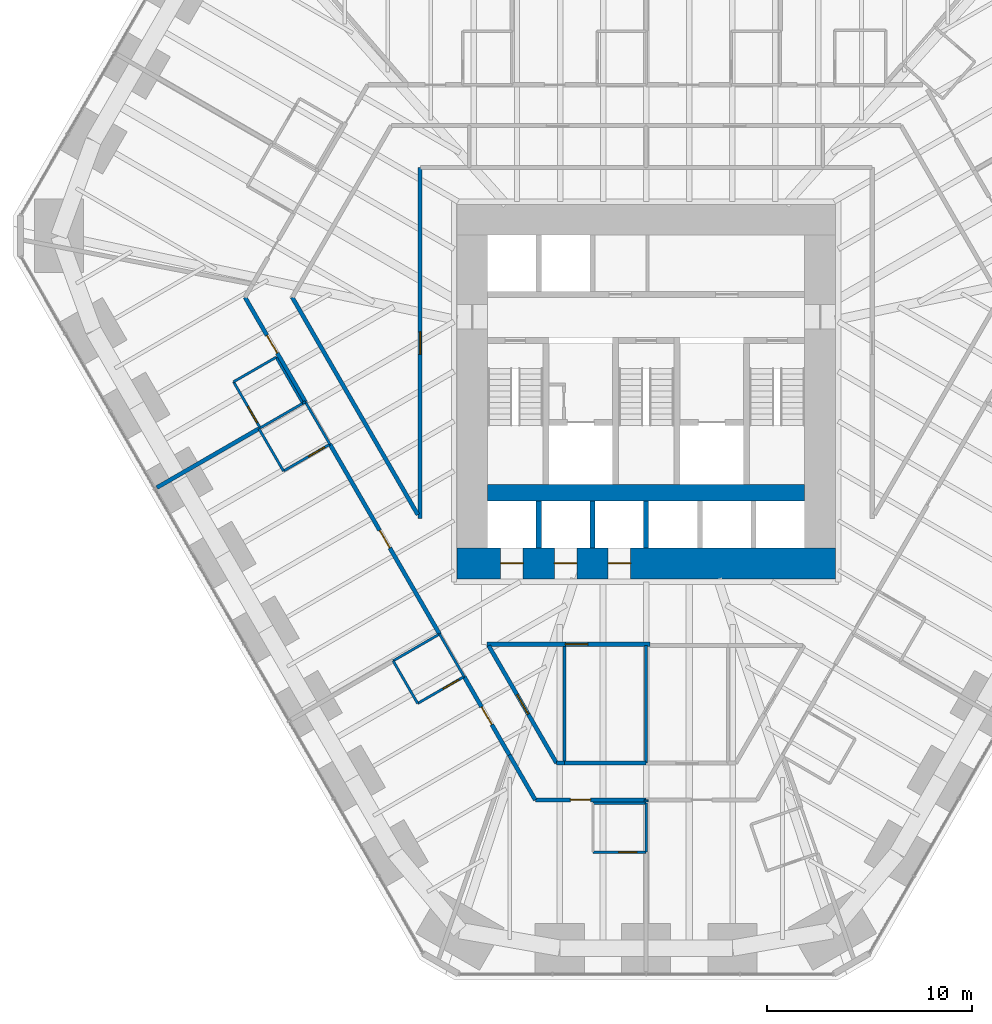
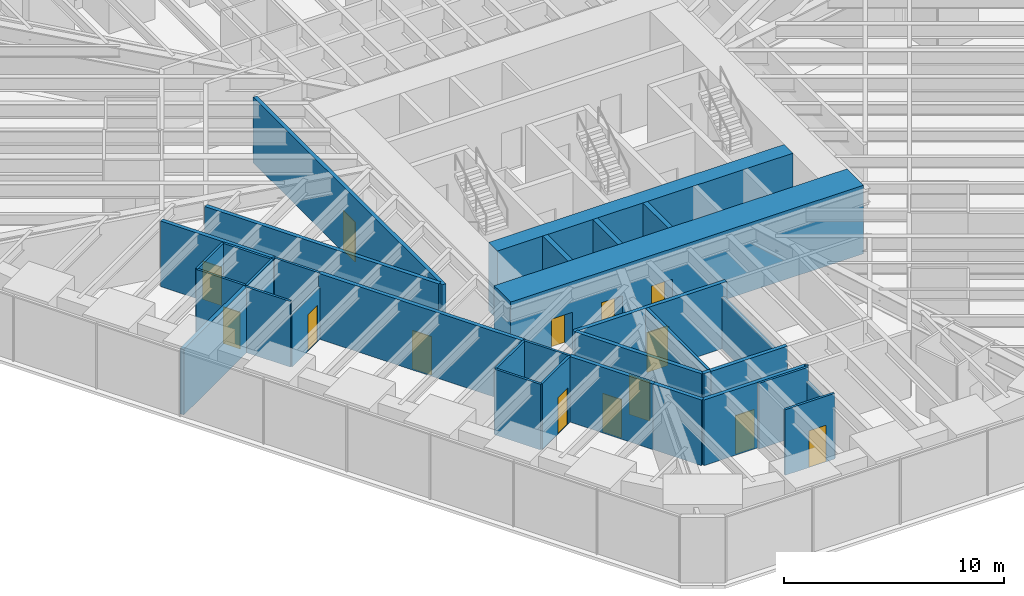
# One storey, part 11 of 17: 35 walls, 14 doors, 14 openings.
"""IFC4 building model written with IfcOpenShell, lengths in metres."""

from ifc_helpers import new_model, si_unit, direction, frame, frame_2d, origin, place, context, subcontext, project, spatial, rectangle, extrude, material, layer, layer_set, type_object, element, fill, save


model = new_model("IFC4")

# Units and contexts
model_context = context("Model", 3, precision=1e-05, world=origin(), true_north=direction((0.0, 1.0)))
body_context = subcontext(model_context, "Body", "Model", "MODEL_VIEW")
ifc_project = project(units=[si_unit("LENGTHUNIT", "METRE"), si_unit("AREAUNIT", "SQUARE_METRE"), si_unit("VOLUMEUNIT", "CUBIC_METRE"), si_unit("PLANEANGLEUNIT", "RADIAN"), si_unit("MASSUNIT", "GRAM", prefix="KILO")], contexts=[model_context])

# Site, building, storey
site_placement = place(None, origin())
site = spatial("IfcSite", under=ifc_project, at=site_placement, CompositionType="ELEMENT")
building_placement = place(site_placement, origin())
building = spatial("IfcBuilding", under=site, at=building_placement, Name="Sandreach Pilgrim Tower", CompositionType="ELEMENT")
storey_placement = place(building_placement, frame((0.0, 0.0, 42.0)))
storey = spatial("IfcBuildingStorey", under=building, at=storey_placement, Name="L09", CompositionType="ELEMENT", Elevation=42.0)

# Walls
ifc_material_1 = material(Name="Gypsum board on steel studs", Category="steel")
ifc_layer_1 = layer(ifc_material_1, 0.14990234375)
ifc_layer_set_1 = layer_set([ifc_layer_1], Name="Back of house wall 150")
wall_type_1 = type_object("IfcWallType", Name="Back of house wall 150", PredefinedType="PARTITIONING", material=ifc_layer_set_1)
wall_1_placement = place(storey_placement, frame((-4.0, -14.0, 0.0), z_axis=(0.0, 0.0, 1.0), x_axis=(0.0, -1.0, 0.0)))
element("IfcWall", 1, at=wall_1_placement, inside=storey, type_object=wall_type_1, Name="Back of house wall L09-051", PredefinedType="PARTITIONING", context=body_context, shape_type="SweptSolid", body=[
    extrude(rectangle(XDim=5.7099609375, YDim=0.14990234375, at=frame_2d((2.85498046875, 0.0))), origin(), (0.0, 0.0, 1.0), 3.639892578125),
])
wall_2_placement = place(storey_placement, frame((0.0, -13.949951171875, 0.0), z_axis=(0.0, 0.0, 1.0), x_axis=(0.0, -1.0, 0.0)))
element("IfcWall", 2, at=wall_2_placement, inside=storey, type_object=wall_type_1, Name="Back of house wall L09-062", PredefinedType="PARTITIONING", context=body_context, shape_type="SweptSolid", body=[
    extrude(rectangle(XDim=5.760009765625, YDim=0.14990234375, at=frame_2d((2.8798828125, 0.0))), origin(), (0.0, 0.0, 1.0), 2.860107421875),
])

# Wall, opening, door
ifc_material_2 = material(Name="Moisture-resistant gypsum board on steel studs", Category="steel")
ifc_layer_2 = layer(ifc_material_2, 0.1201171875)
ifc_layer_set_2 = layer_set([ifc_layer_2], Name="Bathroom partition 120")
wall_type_2 = type_object("IfcWallType", Name="Bathroom partition 120", PredefinedType="PARTITIONING", material=ifc_layer_set_2)
wall_3_placement = place(storey_placement, frame((-20.169921875, -1.070068359375, 0.0), z_axis=(0.0, 0.0, 1.0), x_axis=(0.500291685314, -0.865856933682, 0.0)))
wall_3 = element("IfcWall", 3, at=wall_3_placement, inside=storey, type_object=wall_type_2, Name="Bathroom partition L09-004", PredefinedType="PARTITIONING", context=body_context, shape_type="SweptSolid", body=[
    extrude(rectangle(XDim=2.5986328125, YDim=0.1201171875, at=frame_2d((1.29931640625, 0.0))), origin(), (0.0, 0.0, 1.0), 3.639892578125),
])
opening_1_placement = place(wall_3_placement, frame((1.398681640625, 0.0, 0.0)))
opening_1 = element("IfcOpeningElement", 4, at=opening_1_placement, cuts=wall_3, Name="Opening D09-14B", PredefinedType="OPENING", context=body_context, shape_type="SweptSolid", body=[
    extrude(rectangle(XDim=0.89990234375, YDim=2.030029296875, at=frame_2d((0.449951171875, 1.01513671875))), frame((0.0, 0.06005859375, 0.0), z_axis=(0.0, -1.0, 0.0), x_axis=(1.0, 0.0, 0.0)), (0.0, 0.0, 1.0), 0.1201171875),
])
ifc_material_3 = material(Name="Timber door, steel frame", Category="steel")
door_type_1 = type_object("IfcDoorType", Name="Bathroom door", OperationType="SINGLE_SWING_LEFT", PredefinedType="DOOR", material=ifc_material_3)
door_1_placement = place(opening_1_placement, origin())
door_1 = element("IfcDoor", 5, at=door_1_placement, inside=storey, type_object=door_type_1, Name="Door 0914B", OperationType="SINGLE_SWING_RIGHT", OverallHeight=2.030029296875, OverallWidth=0.89990234375, PredefinedType="DOOR", context=body_context, shape_type="SweptSolid", body=[
    extrude(rectangle(XDim=0.89990234375, YDim=2.030029296875, at=frame_2d((0.449951171875, 1.01513671875))), frame((0.0, 0.02490234375, 0.0), z_axis=(0.0, -1.0, 0.0), x_axis=(1.0, 0.0, 0.0)), (0.0, 0.0, 1.0), 0.050048828125),
])
fill(opening_1, door_1)

# Walls
wall_4_placement = place(storey_placement, frame((-18.929931640625, -3.360107421875, 0.0), z_axis=(0.0, 0.0, 1.0), x_axis=(0.501547039172, -0.865130376012, 0.0)))
element("IfcWall", 6, at=wall_4_placement, inside=storey, type_object=wall_type_2, Name="Bathroom partition L09-009", PredefinedType="PARTITIONING", context=body_context, shape_type="SweptSolid", body=[
    extrude(rectangle(XDim=2.392578125, YDim=0.1201171875, at=frame_2d((1.1962890625, 0.0))), origin(), (0.0, 0.0, 1.0), 3.639892578125),
])
wall_5_placement = place(storey_placement, frame((-18.86767578125, -3.323974609375, 0.0), z_axis=(0.0, 0.0, 1.0), x_axis=(0.866133109688, 0.499813401482, 0.0)))
element("IfcWall", 7, at=wall_5_placement, inside=storey, type_object=wall_type_2, Name="Bathroom partition L09-010", PredefinedType="PARTITIONING", context=body_context, shape_type="SweptSolid", body=[
    extrude(rectangle(XDim=2.4013671875, YDim=0.1201171875, at=frame_2d((1.20068359375, 0.0))), origin(), (0.0, 0.0, 1.0), 3.639892578125),
])
wall_6_placement = place(storey_placement, frame((-18.090087890625, 0.1298828125, 0.0), z_axis=(0.0, 0.0, 1.0), x_axis=(-0.866177122335, -0.499737123639, 0.0)))
element("IfcWall", 8, at=wall_6_placement, inside=storey, type_object=wall_type_2, Name="Bathroom partition L09-013", PredefinedType="PARTITIONING", context=body_context, shape_type="SweptSolid", body=[
    extrude(rectangle(XDim=2.401123046875, YDim=0.1201171875, at=frame_2d((1.20068359375, 0.0))), origin(), (0.0, 0.0, 1.0), 3.639892578125),
])

# Wall, opening, door
wall_7_placement = place(storey_placement, frame((-17.72998046875, -5.429931640625, 0.0), z_axis=(0.0, 0.0, 1.0), x_axis=(0.866114241029, 0.499846097802, 0.0)))
wall_7 = element("IfcWall", 9, at=wall_7_placement, inside=storey, type_object=wall_type_2, Name="Bathroom partition L09-014", PredefinedType="PARTITIONING", context=body_context, shape_type="SweptSolid", body=[
    extrude(rectangle(XDim=2.620849609375, YDim=0.1201171875, at=frame_2d((1.310546875, 0.0))), origin(), (0.0, 0.0, 1.0), 2.8779296875),
])
opening_2_placement = place(wall_7_placement, frame((1.4208984375, 0.0, 0.0)))
opening_2 = element("IfcOpeningElement", 10, at=opening_2_placement, cuts=wall_7, Name="Opening D09-13B", PredefinedType="OPENING", context=body_context, shape_type="SweptSolid", body=[
    extrude(rectangle(XDim=0.89990234375, YDim=2.030029296875, at=frame_2d((0.449951171875, 1.01513671875))), frame((0.0, 0.06005859375, 0.0), z_axis=(0.0, -1.0, 0.0), x_axis=(1.0, 0.0, 0.0)), (0.0, 0.0, 1.0), 0.1201171875),
])
door_2_placement = place(opening_2_placement, origin())
door_2 = element("IfcDoor", 11, at=door_2_placement, inside=storey, type_object=door_type_1, Name="Door 0913B", OperationType="SINGLE_SWING_RIGHT", OverallHeight=2.030029296875, OverallWidth=0.89990234375, PredefinedType="DOOR", context=body_context, shape_type="SweptSolid", body=[
    extrude(rectangle(XDim=0.89990234375, YDim=2.030029296875, at=frame_2d((0.449951171875, 1.01513671875))), frame((0.0, 0.02490234375, 0.0), z_axis=(0.0, -1.0, 0.0), x_axis=(1.0, 0.0, 0.0)), (0.0, 0.0, 1.0), 0.050048828125),
])
fill(opening_2, door_2)

# Walls
wall_8_placement = place(storey_placement, frame((-16.7900390625, -2.1201171875, 0.0), z_axis=(0.0, 0.0, 1.0), x_axis=(-0.50025099007, 0.865880446098, 0.0)))
element("IfcWall", 12, at=wall_8_placement, inside=storey, type_object=wall_type_2, Name="Bathroom partition L09-019", PredefinedType="PARTITIONING", context=body_context, shape_type="SweptSolid", body=[
    extrude(rectangle(XDim=2.598876953125, YDim=0.1201171875, at=frame_2d((1.29931640625, 0.0))), origin(), (0.0, 0.0, 1.0), 3.639892578125),
])
wall_9_placement = place(storey_placement, frame((-16.787841796875, -2.123779296875, 0.0), z_axis=(0.0, 0.0, 1.0), x_axis=(0.866405716731, 0.499340699338, 0.0)))
element("IfcWall", 13, at=wall_9_placement, inside=storey, type_object=wall_type_2, Name="Bathroom partition L09-020", PredefinedType="PARTITIONING", context=body_context, shape_type="SweptSolid", body=[
    extrude(rectangle(XDim=0.147705078125, YDim=0.1201171875, at=frame_2d((0.07373046875, 0.0))), origin(), (0.0, 0.0, 1.0), 3.639892578125),
])
wall_10_placement = place(storey_placement, frame((-16.659912109375, -2.050048828125, 0.0), z_axis=(0.0, 0.0, 1.0), x_axis=(0.501502765098, -0.865156041763, 0.0)))
element("IfcWall", 14, at=wall_10_placement, inside=storey, type_object=wall_type_2, Name="Bathroom partition L09-021", PredefinedType="PARTITIONING", context=body_context, shape_type="SweptSolid", body=[
    extrude(rectangle(XDim=2.392822265625, YDim=0.1201171875, at=frame_2d((1.1962890625, 0.0))), origin(), (0.0, 0.0, 1.0), 3.639892578125),
])
wall_11_placement = place(storey_placement, frame((-12.3701171875, -14.7099609375, 0.0), z_axis=(0.0, 0.0, 1.0), x_axis=(0.499769390944, -0.866158505053, 0.0)))
element("IfcWall", 15, at=wall_11_placement, inside=storey, type_object=wall_type_2, Name="Bathroom partition L09-028", PredefinedType="PARTITIONING", context=body_context, shape_type="SweptSolid", body=[
    extrude(rectangle(XDim=2.401611328125, YDim=0.1201171875, at=frame_2d((1.20068359375, 0.0))), origin(), (0.0, 0.0, 1.0), 3.639892578125),
])
wall_12_placement = place(storey_placement, frame((-12.3701171875, -14.7099609375, 0.0), z_axis=(0.0, 0.0, 1.0), x_axis=(0.866114241029, 0.499846097802, 0.0)))
element("IfcWall", 16, at=wall_12_placement, inside=storey, type_object=wall_type_2, Name="Bathroom partition L09-029", PredefinedType="PARTITIONING", context=body_context, shape_type="SweptSolid", body=[
    extrude(rectangle(XDim=2.620849609375, YDim=0.1201171875, at=frame_2d((1.310546875, 0.0))), origin(), (0.0, 0.0, 1.0), 3.639892578125),
])

# Wall, opening, door
wall_13_placement = place(storey_placement, frame((-11.169921875, -16.7900390625, 0.0), z_axis=(0.0, 0.0, 1.0), x_axis=(0.866114241029, 0.499846097802, 0.0)))
wall_13 = element("IfcWall", 17, at=wall_13_placement, inside=storey, type_object=wall_type_2, Name="Bathroom partition L09-032", PredefinedType="PARTITIONING", context=body_context, shape_type="SweptSolid", body=[
    extrude(rectangle(XDim=2.620849609375, YDim=0.1201171875, at=frame_2d((1.310546875, 0.0))), origin(), (0.0, 0.0, 1.0), 3.639892578125),
])
opening_3_placement = place(wall_13_placement, frame((1.4208984375, 0.0, 0.0)))
opening_3 = element("IfcOpeningElement", 18, at=opening_3_placement, cuts=wall_13, Name="Opening D09-12B", PredefinedType="OPENING", context=body_context, shape_type="SweptSolid", body=[
    extrude(rectangle(XDim=0.89990234375, YDim=2.030029296875, at=frame_2d((0.449951171875, 1.01513671875))), frame((0.0, 0.06005859375, 0.0), z_axis=(0.0, -1.0, 0.0), x_axis=(1.0, 0.0, 0.0)), (0.0, 0.0, 1.0), 0.1201171875),
])
door_3_placement = place(opening_3_placement, origin())
door_3 = element("IfcDoor", 19, at=door_3_placement, inside=storey, type_object=door_type_1, Name="Door 0912B", OperationType="SINGLE_SWING_RIGHT", OverallHeight=2.030029296875, OverallWidth=0.89990234375, PredefinedType="DOOR", context=body_context, shape_type="SweptSolid", body=[
    extrude(rectangle(XDim=0.89990234375, YDim=2.030029296875, at=frame_2d((0.449951171875, 1.01513671875))), frame((0.0, 0.02490234375, 0.0), z_axis=(0.0, -1.0, 0.0), x_axis=(1.0, 0.0, 0.0)), (0.0, 0.0, 1.0), 0.050048828125),
])
fill(opening_3, door_3)

# Wall
wall_14_placement = place(storey_placement, frame((-10.10009765625, -13.39990234375, 0.0), z_axis=(0.0, 0.0, 1.0), x_axis=(0.499769390944, -0.866158505053, 0.0)))
element("IfcWall", 20, at=wall_14_placement, inside=storey, type_object=wall_type_2, Name="Bathroom partition L09-036", PredefinedType="PARTITIONING", context=body_context, shape_type="SweptSolid", body=[
    extrude(rectangle(XDim=2.401611328125, YDim=0.1201171875, at=frame_2d((1.20068359375, 0.0))), origin(), (0.0, 0.0, 1.0), 3.639892578125),
])

# Wall, opening, door
wall_15_placement = place(storey_placement, frame((-2.60009765625, -24.06005859375, 0.0), z_axis=(0.0, 0.0, 1.0), x_axis=(1.0, 0.0, 0.0)))
wall_15 = element("IfcWall", 21, at=wall_15_placement, inside=storey, type_object=wall_type_2, Name="Bathroom partition L09-052", PredefinedType="PARTITIONING", context=body_context, shape_type="SweptSolid", body=[
    extrude(rectangle(XDim=2.60009765625, YDim=0.1201171875, at=frame_2d((1.300048828125, 0.0))), origin(), (0.0, 0.0, 1.0), 3.639892578125),
])
opening_4_placement = place(wall_15_placement, frame((1.25, 0.0, 0.0)))
opening_4 = element("IfcOpeningElement", 22, at=opening_4_placement, cuts=wall_15, Name="Opening D09-11B", PredefinedType="OPENING", context=body_context, shape_type="SweptSolid", body=[
    extrude(rectangle(XDim=0.89990234375, YDim=2.030029296875, at=frame_2d((0.449951171875, 1.01513671875))), frame((0.0, 0.06005859375, 0.0), z_axis=(0.0, -1.0, 0.0), x_axis=(1.0, 0.0, 0.0)), (0.0, 0.0, 1.0), 0.1201171875),
])
door_4_placement = place(opening_4_placement, origin())
door_4 = element("IfcDoor", 23, at=door_4_placement, inside=storey, type_object=door_type_1, Name="Door 0911B", OperationType="SINGLE_SWING_RIGHT", OverallHeight=2.030029296875, OverallWidth=0.89990234375, PredefinedType="DOOR", context=body_context, shape_type="SweptSolid", body=[
    extrude(rectangle(XDim=0.89990234375, YDim=2.030029296875, at=frame_2d((0.449951171875, 1.01513671875))), frame((0.0, 0.02490234375, 0.0), z_axis=(0.0, -1.0, 0.0), x_axis=(1.0, 0.0, 0.0)), (0.0, 0.0, 1.0), 0.050048828125),
])
fill(opening_4, door_4)

# Walls
wall_16_placement = place(storey_placement, frame((0.0, -24.06005859375, 0.0), z_axis=(0.0, 0.0, 1.0), x_axis=(0.0, 1.0, 0.0)))
element("IfcWall", 24, at=wall_16_placement, inside=storey, type_object=wall_type_2, Name="Bathroom partition L09-057", PredefinedType="PARTITIONING", context=body_context, shape_type="SweptSolid", body=[
    extrude(rectangle(XDim=2.400146484375, YDim=0.1201171875, at=frame_2d((1.2001953125, 0.0))), origin(), (0.0, 0.0, 1.0), 2.860107421875),
])
wall_17_placement = place(storey_placement, frame((0.0, -21.659912109375, 0.0), z_axis=(0.0, 0.0, 1.0), x_axis=(-1.0, 0.0, 0.0)))
element("IfcWall", 25, at=wall_17_placement, inside=storey, type_object=wall_type_2, Name="Bathroom partition L09-058", PredefinedType="PARTITIONING", context=body_context, shape_type="SweptSolid", body=[
    extrude(rectangle(XDim=2.60009765625, YDim=0.1201171875, at=frame_2d((1.300048828125, 0.0))), origin(), (0.0, 0.0, 1.0), 3.639892578125),
])
ifc_material_4 = material(Name="Concrete 10000 psi", Category="concrete")
ifc_layer_3 = layer(ifc_material_4, 0.800048828125)
ifc_layer_set_3 = layer_set([ifc_layer_3], Name="Core mid wall 800")
wall_type_3 = type_object("IfcWallType", Name="Core mid wall 800", PredefinedType="SHEAR", material=ifc_layer_set_3)
wall_18_placement = place(storey_placement, frame((-7.75, -6.5, 0.0), z_axis=(0.0, 0.0, 1.0), x_axis=(1.0, 0.0, 0.0)))
element("IfcWall", 26, at=wall_18_placement, inside=storey, type_object=wall_type_3, Name="Core wall M L09", PredefinedType="SHEAR", context=body_context, shape_type="SweptSolid", body=[
    extrude(rectangle(XDim=15.5, YDim=0.800048828125, at=frame_2d((7.75, 0.0))), origin(), (0.0, 0.0, 1.0), 3.800048828125),
])

# Wall, openings, doors
ifc_material_5 = material(Name="Concrete 10000 psi", Category="concrete")
ifc_layer_4 = layer(ifc_material_5, 1.5)
ifc_layer_set_4 = layer_set([ifc_layer_4], Name="Core wall 1500")
wall_type_4 = type_object("IfcWallType", Name="Core wall 1500", PredefinedType="SHEAR", material=ifc_layer_set_4)
wall_19_placement = place(storey_placement, frame((-9.25, -9.949951171875, 0.0), z_axis=(0.0, 0.0, 1.0), x_axis=(1.0, 0.0, 0.0)))
wall_19 = element("IfcWall", 27, at=wall_19_placement, inside=storey, type_object=wall_type_4, Name="Core wall S L09", PredefinedType="SHEAR", context=body_context, shape_type="SweptSolid", body=[
    extrude(rectangle(XDim=18.5, YDim=1.5, at=frame_2d((9.25, 0.0))), origin(), (0.0, 0.0, 1.0), 3.800048828125),
])
opening_5_placement = place(wall_19_placement, frame((2.137451171875, 0.0, 0.0)))
opening_5 = element("IfcOpeningElement", 28, at=opening_5_placement, cuts=wall_19, Name="Opening LD11", PredefinedType="OPENING", context=body_context, shape_type="SweptSolid", body=[
    extrude(rectangle(XDim=1.10009765625, YDim=2.10009765625, at=frame_2d((0.550048828125, 1.050048828125))), frame((0.0, 0.75, 0.0), z_axis=(0.0, -1.0, 0.0), x_axis=(1.0, 0.0, 0.0)), (0.0, 0.0, 1.0), 1.5),
])
opening_6_placement = place(wall_19_placement, frame((4.762451171875, 0.0, 0.0)))
opening_6 = element("IfcOpeningElement", 29, at=opening_6_placement, cuts=wall_19, Name="Opening LD11", PredefinedType="OPENING", context=body_context, shape_type="SweptSolid", body=[
    extrude(rectangle(XDim=1.10009765625, YDim=2.10009765625, at=frame_2d((0.550048828125, 1.050048828125))), frame((0.0, 0.75, 0.0), z_axis=(0.0, -1.0, 0.0), x_axis=(1.0, 0.0, 0.0)), (0.0, 0.0, 1.0), 1.5),
])
opening_7_placement = place(wall_19_placement, frame((7.387451171875, 0.0, 0.0)))
opening_7 = element("IfcOpeningElement", 30, at=opening_7_placement, cuts=wall_19, Name="Opening LD11", PredefinedType="OPENING", context=body_context, shape_type="SweptSolid", body=[
    extrude(rectangle(XDim=1.10009765625, YDim=2.10009765625, at=frame_2d((0.550048828125, 1.050048828125))), frame((0.0, 0.75, 0.0), z_axis=(0.0, -1.0, 0.0), x_axis=(1.0, 0.0, 0.0)), (0.0, 0.0, 1.0), 1.5),
])
ifc_material_6 = material(Name="Steel door and frame", Category="steel")
door_type_2 = type_object("IfcDoorType", Name="Lift landing door", OperationType="DOUBLE_DOOR_SLIDING", PredefinedType="DOOR", material=ifc_material_6)
door_5_placement = place(opening_5_placement, origin())
door_5 = element("IfcDoor", 31, at=door_5_placement, inside=storey, type_object=door_type_2, Name="Lift landing door Z1A L09", OperationType="DOUBLE_DOOR_SLIDING", OverallHeight=2.10009765625, OverallWidth=1.10009765625, PredefinedType="DOOR", context=body_context, shape_type="SweptSolid", body=[
    extrude(rectangle(XDim=1.10009765625, YDim=2.10009765625, at=frame_2d((0.550048828125, 1.050048828125))), frame((0.0, 0.02490234375, 0.0), z_axis=(0.0, -1.0, 0.0), x_axis=(1.0, 0.0, 0.0)), (0.0, 0.0, 1.0), 0.050048828125),
])
fill(opening_5, door_5)
door_6_placement = place(opening_6_placement, origin())
door_6 = element("IfcDoor", 32, at=door_6_placement, inside=storey, type_object=door_type_2, Name="Lift landing door Z1B L09", OperationType="DOUBLE_DOOR_SLIDING", OverallHeight=2.10009765625, OverallWidth=1.10009765625, PredefinedType="DOOR", context=body_context, shape_type="SweptSolid", body=[
    extrude(rectangle(XDim=1.10009765625, YDim=2.10009765625, at=frame_2d((0.550048828125, 1.050048828125))), frame((0.0, 0.02490234375, 0.0), z_axis=(0.0, -1.0, 0.0), x_axis=(1.0, 0.0, 0.0)), (0.0, 0.0, 1.0), 0.050048828125),
])
fill(opening_6, door_6)
door_7_placement = place(opening_7_placement, origin())
door_7 = element("IfcDoor", 33, at=door_7_placement, inside=storey, type_object=door_type_2, Name="Lift landing door Z1C L09", OperationType="DOUBLE_DOOR_SLIDING", OverallHeight=2.10009765625, OverallWidth=1.10009765625, PredefinedType="DOOR", context=body_context, shape_type="SweptSolid", body=[
    extrude(rectangle(XDim=1.10009765625, YDim=2.10009765625, at=frame_2d((0.550048828125, 1.050048828125))), frame((0.0, 0.02490234375, 0.0), z_axis=(0.0, -1.0, 0.0), x_axis=(1.0, 0.0, 0.0)), (0.0, 0.0, 1.0), 0.050048828125),
])
fill(opening_7, door_7)

# Wall, opening, door
ifc_material_7 = material(Name="Gypsum board on steel studs, two layers each side", Category="steel")
ifc_layer_5 = layer(ifc_material_7, 0.199951171875)
ifc_layer_set_5 = layer_set([ifc_layer_5], Name="Corridor wall 200")
wall_type_5 = type_object("IfcWallType", Name="Corridor wall 200", PredefinedType="PARTITIONING", material=ifc_layer_set_5)
wall_20_placement = place(storey_placement, frame((-19.610107421875, 3.06005859375, 0.0), z_axis=(0.0, 0.0, 1.0), x_axis=(0.499983910424, -0.866034692906, 0.0)))
wall_20 = element("IfcWall", 34, at=wall_20_placement, inside=storey, type_object=wall_type_5, Name="Corridor wall L09-006", PredefinedType="PARTITIONING", context=body_context, shape_type="SweptSolid", body=[
    extrude(rectangle(XDim=5.900634765625, YDim=0.199951171875, at=frame_2d((2.9501953125, 0.0))), origin(), (0.0, 0.0, 1.0), 3.639892578125),
])
opening_8_placement = place(wall_20_placement, frame((2.14990234375, 0.0, 0.0)))
opening_8 = element("IfcOpeningElement", 35, at=opening_8_placement, cuts=wall_20, Name="Opening D10-14", PredefinedType="OPENING", context=body_context, shape_type="SweptSolid", body=[
    extrude(rectangle(XDim=1.0, YDim=2.1298828125, at=frame_2d((0.5, 1.06494140625))), frame((0.0, 0.10009765625, 0.0), z_axis=(0.0, -1.0, 0.0), x_axis=(1.0, 0.0, 0.0)), (0.0, 0.0, 1.0), 0.199951171875),
])
ifc_material_8 = material(Name="Steel door and frame", Category="steel")
door_type_3 = type_object("IfcDoorType", Name="Guest room entry door", OperationType="SINGLE_SWING_LEFT", PredefinedType="DOOR", material=ifc_material_8)
door_8_placement = place(opening_8_placement, origin())
door_8 = element("IfcDoor", 36, at=door_8_placement, inside=storey, type_object=door_type_3, Name="Door 0914", OperationType="SINGLE_SWING_LEFT", OverallHeight=2.1298828125, OverallWidth=1.0, PredefinedType="DOOR", context=body_context, shape_type="SweptSolid", body=[
    extrude(rectangle(XDim=1.0, YDim=2.1298828125, at=frame_2d((0.5, 1.06494140625))), frame((0.0, 0.02490234375, 0.0), z_axis=(0.0, -1.0, 0.0), x_axis=(1.0, 0.0, 0.0)), (0.0, 0.0, 1.0), 0.050048828125),
])
fill(opening_8, door_8)

wall_21_placement = place(storey_placement, frame((-15.4599609375, -4.1201171875, 0.0), z_axis=(0.0, 0.0, 1.0), x_axis=(0.500152338955, -0.865937432981, 0.0)))
wall_21 = element("IfcWall", 37, at=wall_21_placement, inside=storey, type_object=wall_type_5, Name="Corridor wall L09-025", PredefinedType="PARTITIONING", context=body_context, shape_type="SweptSolid", body=[
    extrude(rectangle(XDim=10.716552734375, YDim=0.199951171875, at=frame_2d((5.3583984375, 0.0))), origin(), (0.0, 0.0, 1.0), 3.639892578125),
])
opening_9_placement = place(wall_21_placement, frame((4.8583984375, 0.0, 0.0)))
opening_9 = element("IfcOpeningElement", 38, at=opening_9_placement, cuts=wall_21, Name="Opening D10-13", PredefinedType="OPENING", context=body_context, shape_type="SweptSolid", body=[
    extrude(rectangle(XDim=1.0, YDim=2.1298828125, at=frame_2d((0.5, 1.06494140625))), frame((0.0, 0.10009765625, 0.0), z_axis=(0.0, -1.0, 0.0), x_axis=(1.0, 0.0, 0.0)), (0.0, 0.0, 1.0), 0.199951171875),
])
door_9_placement = place(opening_9_placement, origin())
door_9 = element("IfcDoor", 39, at=door_9_placement, inside=storey, type_object=door_type_3, Name="Door 0913", OperationType="SINGLE_SWING_LEFT", OverallHeight=2.1298828125, OverallWidth=1.0, PredefinedType="DOOR", context=body_context, shape_type="SweptSolid", body=[
    extrude(rectangle(XDim=1.0, YDim=2.1298828125, at=frame_2d((0.5, 1.06494140625))), frame((0.0, 0.02490234375, 0.0), z_axis=(0.0, -1.0, 0.0), x_axis=(1.0, 0.0, 0.0)), (0.0, 0.0, 1.0), 0.050048828125),
])
fill(opening_9, door_9)

# Wall
wall_22_placement = place(storey_placement, frame((-11.16015625, -7.569580078125, 0.0), z_axis=(0.0, 0.0, 1.0), x_axis=(-0.500175206663, 0.865924224537, 0.0)))
element("IfcWall", 40, at=wall_22_placement, inside=storey, type_object=wall_type_5, Name="Corridor wall L09-033", PredefinedType="PARTITIONING", context=body_context, shape_type="SweptSolid", body=[
    extrude(rectangle(XDim=12.275390625, YDim=0.199951171875, at=frame_2d((6.1376953125, 0.0))), origin(), (0.0, 0.0, 1.0), 3.639892578125),
])

# Wall, opening, door
wall_23_placement = place(storey_placement, frame((-11.050048828125, 9.39990234375, 0.0), z_axis=(0.0, 0.0, 1.0), x_axis=(0.0, -1.0, 0.0)))
wall_23 = element("IfcWall", 41, at=wall_23_placement, inside=storey, type_object=wall_type_5, Name="Corridor wall L09-034", PredefinedType="PARTITIONING", context=body_context, shape_type="SweptSolid", body=[
    extrude(rectangle(XDim=17.159912109375, YDim=0.199951171875, at=frame_2d((8.580078125, 0.0))), origin(), (0.0, 0.0, 1.0), 3.639892578125),
])
opening_10_placement = place(wall_23_placement, frame((8.030029296875, 0.0, 0.0)))
opening_10 = element("IfcOpeningElement", 42, at=opening_10_placement, cuts=wall_23, Name="Opening D11H-M01", PredefinedType="OPENING", context=body_context, shape_type="SweptSolid", body=[
    extrude(rectangle(XDim=1.10009765625, YDim=2.199951171875, at=frame_2d((0.550048828125, 1.10009765625))), frame((0.0, 0.10009765625, 0.0), z_axis=(0.0, -1.0, 0.0), x_axis=(1.0, 0.0, 0.0)), (0.0, 0.0, 1.0), 0.199951171875),
])
ifc_material_9 = material(Name="Steel door and frame", Category="steel")
door_type_4 = type_object("IfcDoorType", Name="Back of house door", OperationType="SINGLE_SWING_LEFT", PredefinedType="DOOR", material=ifc_material_9)
door_10_placement = place(opening_10_placement, origin())
door_10 = element("IfcDoor", 43, at=door_10_placement, inside=storey, type_object=door_type_4, Name="Door 09M01", OperationType="SINGLE_SWING_LEFT", OverallHeight=2.199951171875, OverallWidth=1.10009765625, PredefinedType="DOOR", context=body_context, shape_type="SweptSolid", body=[
    extrude(rectangle(XDim=1.10009765625, YDim=2.199951171875, at=frame_2d((0.550048828125, 1.10009765625))), frame((0.0, 0.02490234375, 0.0), z_axis=(0.0, -1.0, 0.0), x_axis=(1.0, 0.0, 0.0)), (0.0, 0.0, 1.0), 0.050048828125),
])
fill(opening_10, door_10)

wall_24_placement = place(storey_placement, frame((-8.89990234375, -15.47998046875, 0.0), z_axis=(0.0, 0.0, 1.0), x_axis=(0.499773435832, -0.866156171159, 0.0)))
wall_24 = element("IfcWall", 44, at=wall_24_placement, inside=storey, type_object=wall_type_5, Name="Corridor wall L09-039", PredefinedType="PARTITIONING", context=body_context, shape_type="SweptSolid", body=[
    extrude(rectangle(XDim=4.421875, YDim=0.199951171875, at=frame_2d((2.2109375, 0.0))), origin(), (0.0, 0.0, 1.0), 3.639892578125),
])
opening_11_placement = place(wall_24_placement, frame((1.7109375, 0.0, 0.0)))
opening_11 = element("IfcOpeningElement", 45, at=opening_11_placement, cuts=wall_24, Name="Opening D10-12", PredefinedType="OPENING", context=body_context, shape_type="SweptSolid", body=[
    extrude(rectangle(XDim=1.0, YDim=2.1298828125, at=frame_2d((0.5, 1.06494140625))), frame((0.0, 0.10009765625, 0.0), z_axis=(0.0, -1.0, 0.0), x_axis=(1.0, 0.0, 0.0)), (0.0, 0.0, 1.0), 0.199951171875),
])
door_11_placement = place(opening_11_placement, origin())
door_11 = element("IfcDoor", 46, at=door_11_placement, inside=storey, type_object=door_type_3, Name="Door 0912", OperationType="SINGLE_SWING_LEFT", OverallHeight=2.1298828125, OverallWidth=1.0, PredefinedType="DOOR", context=body_context, shape_type="SweptSolid", body=[
    extrude(rectangle(XDim=1.0, YDim=2.1298828125, at=frame_2d((0.5, 1.06494140625))), frame((0.0, 0.02490234375, 0.0), z_axis=(0.0, -1.0, 0.0), x_axis=(1.0, 0.0, 0.0)), (0.0, 0.0, 1.0), 0.050048828125),
])
fill(opening_11, door_11)

# Wall
wall_25_placement = place(storey_placement, frame((-6.68994140625, -19.31005859375, 0.0), z_axis=(0.0, 0.0, 1.0), x_axis=(0.499963722229, -0.866046347752, 0.0)))
element("IfcWall", 47, at=wall_25_placement, inside=storey, type_object=wall_type_5, Name="Corridor wall L09-043", PredefinedType="PARTITIONING", context=body_context, shape_type="SweptSolid", body=[
    extrude(rectangle(XDim=2.540283203125, YDim=0.199951171875, at=frame_2d((1.27001953125, 0.0))), origin(), (0.0, 0.0, 1.0), 3.639892578125),
])

# Wall, opening, door
wall_26_placement = place(storey_placement, frame((-5.419921875, -21.510009765625, 0.0), z_axis=(0.0, 0.0, 1.0), x_axis=(1.0, 0.0, 0.0)))
wall_26 = element("IfcWall", 48, at=wall_26_placement, inside=storey, type_object=wall_type_5, Name="Corridor wall L09-048", PredefinedType="PARTITIONING", context=body_context, shape_type="SweptSolid", body=[
    extrude(rectangle(XDim=5.419921875, YDim=0.199951171875, at=frame_2d((2.7099609375, 0.0))), origin(), (0.0, 0.0, 1.0), 3.639892578125),
])
opening_12_placement = place(wall_26_placement, frame((1.7099609375, 0.0, 0.0)))
opening_12 = element("IfcOpeningElement", 49, at=opening_12_placement, cuts=wall_26, Name="Opening D10-11", PredefinedType="OPENING", context=body_context, shape_type="SweptSolid", body=[
    extrude(rectangle(XDim=1.0, YDim=2.1298828125, at=frame_2d((0.5, 1.06494140625))), frame((0.0, 0.10009765625, 0.0), z_axis=(0.0, -1.0, 0.0), x_axis=(1.0, 0.0, 0.0)), (0.0, 0.0, 1.0), 0.199951171875),
])
door_12_placement = place(opening_12_placement, origin())
door_12 = element("IfcDoor", 50, at=door_12_placement, inside=storey, type_object=door_type_3, Name="Door 0911", OperationType="SINGLE_SWING_LEFT", OverallHeight=2.1298828125, OverallWidth=1.0, PredefinedType="DOOR", context=body_context, shape_type="SweptSolid", body=[
    extrude(rectangle(XDim=1.0, YDim=2.1298828125, at=frame_2d((0.5, 1.06494140625))), frame((0.0, 0.02490234375, 0.0), z_axis=(0.0, -1.0, 0.0), x_axis=(1.0, 0.0, 0.0)), (0.0, 0.0, 1.0), 0.050048828125),
])
fill(opening_12, door_12)

wall_27_placement = place(storey_placement, frame((-4.3798828125, -19.7099609375, 0.0), z_axis=(0.0, 0.0, 1.0), x_axis=(-0.500523653757, 0.865722860984, 0.0)))
wall_27 = element("IfcWall", 51, at=wall_27_placement, inside=storey, type_object=wall_type_5, Name="Corridor wall L09-049", PredefinedType="PARTITIONING", context=body_context, shape_type="SweptSolid", body=[
    extrude(rectangle(XDim=6.62841796875, YDim=0.199951171875, at=frame_2d((3.314208984375, 0.0))), origin(), (0.0, 0.0, 1.0), 3.639892578125),
])
opening_13_placement = place(wall_27_placement, frame((2.76416015625, 0.0, 0.0)))
opening_13 = element("IfcOpeningElement", 52, at=opening_13_placement, cuts=wall_27, Name="Opening D11H-S1", PredefinedType="OPENING", context=body_context, shape_type="SweptSolid", body=[
    extrude(rectangle(XDim=1.10009765625, YDim=2.199951171875, at=frame_2d((0.550048828125, 1.10009765625))), frame((0.0, 0.10009765625, 0.0), z_axis=(0.0, -1.0, 0.0), x_axis=(1.0, 0.0, 0.0)), (0.0, 0.0, 1.0), 0.199951171875),
])
door_13_placement = place(opening_13_placement, origin())
door_13 = element("IfcDoor", 53, at=door_13_placement, inside=storey, type_object=door_type_4, Name="Door 09S1", OperationType="SINGLE_SWING_LEFT", OverallHeight=2.199951171875, OverallWidth=1.10009765625, PredefinedType="DOOR", context=body_context, shape_type="SweptSolid", body=[
    extrude(rectangle(XDim=1.10009765625, YDim=2.199951171875, at=frame_2d((0.550048828125, 1.10009765625))), frame((0.0, 0.02490234375, 0.0), z_axis=(0.0, -1.0, 0.0), x_axis=(1.0, 0.0, 0.0)), (0.0, 0.0, 1.0), 0.050048828125),
])
fill(opening_13, door_13)

# Walls
wall_28_placement = place(storey_placement, frame((-4.0, -19.7099609375, 0.0), z_axis=(0.0, 0.0, 1.0), x_axis=(-1.0, 0.0, 0.0)))
element("IfcWall", 54, at=wall_28_placement, inside=storey, type_object=wall_type_5, Name="Corridor wall L09-050", PredefinedType="PARTITIONING", context=body_context, shape_type="SweptSolid", body=[
    extrude(rectangle(XDim=0.3798828125, YDim=0.199951171875, at=frame_2d((0.18994140625, 0.0))), origin(), (0.0, 0.0, 1.0), 3.639892578125),
])
wall_29_placement = place(storey_placement, frame((0.0, -19.7099609375, 0.0), z_axis=(0.0, 0.0, 1.0), x_axis=(-1.0, 0.0, 0.0)))
element("IfcWall", 55, at=wall_29_placement, inside=storey, type_object=wall_type_5, Name="Corridor wall L09-061", PredefinedType="PARTITIONING", context=body_context, shape_type="SweptSolid", body=[
    extrude(rectangle(XDim=4.0, YDim=0.199951171875, at=frame_2d((2.0, 0.0))), origin(), (0.0, 0.0, 1.0), 3.639892578125),
])

# Wall, opening, door
wall_30_placement = place(storey_placement, frame((0.179931640625, -13.89990234375, 0.0), z_axis=(0.0, 0.0, 1.0), x_axis=(-1.0, 0.0, 0.0)))
wall_30 = element("IfcWall", 56, at=wall_30_placement, inside=storey, type_object=wall_type_5, Name="Corridor wall L09-071", PredefinedType="PARTITIONING", context=body_context, shape_type="SweptSolid", body=[
    extrude(rectangle(XDim=7.969970703125, YDim=0.199951171875, at=frame_2d((3.98486328125, 0.0))), origin(), (0.0, 0.0, 1.0), 3.639892578125),
])
opening_14_placement = place(wall_30_placement, frame((3.034912109375, 0.0, 0.0)))
opening_14 = element("IfcOpeningElement", 57, at=opening_14_placement, cuts=wall_30, Name="Opening D11H-S2", PredefinedType="OPENING", context=body_context, shape_type="SweptSolid", body=[
    extrude(rectangle(XDim=1.10009765625, YDim=2.199951171875, at=frame_2d((0.550048828125, 1.10009765625))), frame((0.0, 0.10009765625, 0.0), z_axis=(0.0, -1.0, 0.0), x_axis=(1.0, 0.0, 0.0)), (0.0, 0.0, 1.0), 0.199951171875),
])
door_14_placement = place(opening_14_placement, origin())
door_14 = element("IfcDoor", 58, at=door_14_placement, inside=storey, type_object=door_type_4, Name="Door 09S2", OperationType="SINGLE_SWING_LEFT", OverallHeight=2.199951171875, OverallWidth=1.10009765625, PredefinedType="DOOR", context=body_context, shape_type="SweptSolid", body=[
    extrude(rectangle(XDim=1.10009765625, YDim=2.199951171875, at=frame_2d((0.550048828125, 1.10009765625))), frame((0.0, 0.02490234375, 0.0), z_axis=(0.0, -1.0, 0.0), x_axis=(1.0, 0.0, 0.0)), (0.0, 0.0, 1.0), 0.050048828125),
])
fill(opening_14, door_14)

# Walls
ifc_material_10 = material(Name="Double steel stud acoustic wall, gypsum board", Category="steel")
ifc_layer_6 = layer(ifc_material_10, 0.199951171875)
ifc_layer_set_6 = layer_set([ifc_layer_6], Name="Party wall 200")
wall_type_6 = type_object("IfcWallType", Name="Party wall 200", PredefinedType="PARTITIONING", material=ifc_layer_set_6)
wall_31_placement = place(storey_placement, frame((-23.916015625, -6.239990234375, 0.0), z_axis=(0.0, 0.0, 1.0), x_axis=(0.865919350456, 0.50018364478, 0.0)))
element("IfcWall", 59, at=wall_31_placement, inside=storey, type_object=wall_type_6, Name="Party wall L09-003", PredefinedType="PARTITIONING", context=body_context, shape_type="SweptSolid", body=[
    extrude(rectangle(XDim=5.758056640625, YDim=0.199951171875, at=frame_2d((2.87890625, 0.0))), origin(), (0.0, 0.0, 1.0), 3.639892578125),
])
wall_32_placement = place(storey_placement, frame((0.0, -21.60009765625, 0.0), z_axis=(0.0, 0.0, 1.0), x_axis=(0.0, 1.0, 0.0)))
element("IfcWall", 60, at=wall_32_placement, inside=storey, type_object=wall_type_6, Name="Party wall L09-059", PredefinedType="PARTITIONING", context=body_context, shape_type="SweptSolid", body=[
    extrude(rectangle(XDim=0.090087890625, YDim=0.199951171875, at=frame_2d((0.044921875, 0.0))), origin(), (0.0, 0.0, 1.0), 3.639892578125),
])
ifc_material_11 = material(Name="Gypsum shaft wall on steel studs, two layers of shaft liner board", Category="steel")
ifc_layer_7 = layer(ifc_material_11, 0.25)
ifc_layer_set_7 = layer_set([ifc_layer_7], Name="Shaft partition 250")
wall_type_7 = type_object("IfcWallType", Name="Shaft partition 250", PredefinedType="PARTITIONING", material=ifc_layer_set_7)
for number, where, z_axis, x_axis, name in (
    (61, (-5.25, -9.199951171875, 0.0), (0.0, 0.0, 1.0), (0.0, 1.0, 0.0), "Shaft partition XS0 L09"),
    (62, (-2.625, -9.199951171875, 0.0), (0.0, 0.0, 1.0), (0.0, 1.0, 0.0), "Shaft partition XS1 L09"),
    (63, (0.0, -9.199951171875, 0.0), (0.0, 0.0, 1.0), (0.0, 1.0, 0.0), "Shaft partition XS2 L09"),
):
    element("IfcWall", number, at=place(storey_placement, frame(where, z_axis=z_axis, x_axis=x_axis)), inside=storey, type_object=wall_type_7, Name=name, PredefinedType="PARTITIONING", context=body_context, shape_type="SweptSolid", body=[
        extrude(rectangle(XDim=2.300048828125, YDim=0.25, at=frame_2d((1.14990234375, 0.0))), origin(), (0.0, 0.0, 1.0), 3.800048828125),
    ])

save(model, "model.ifc")
